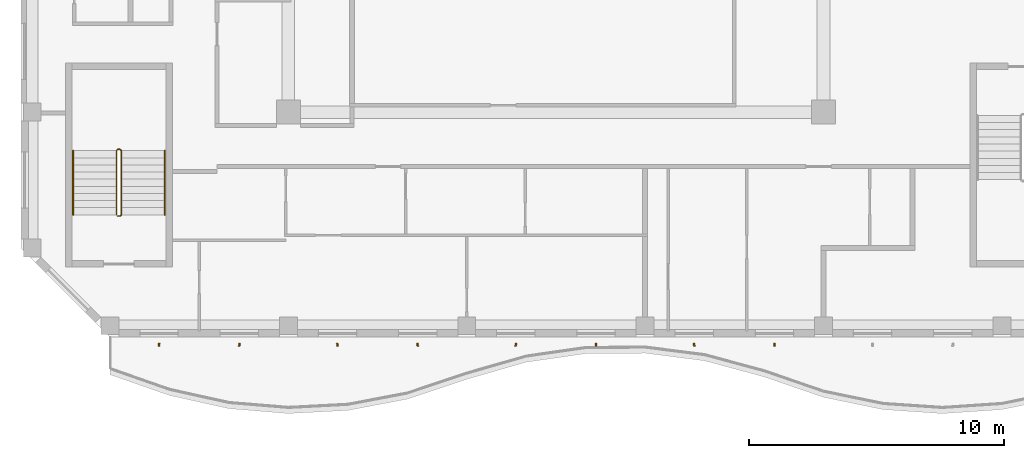
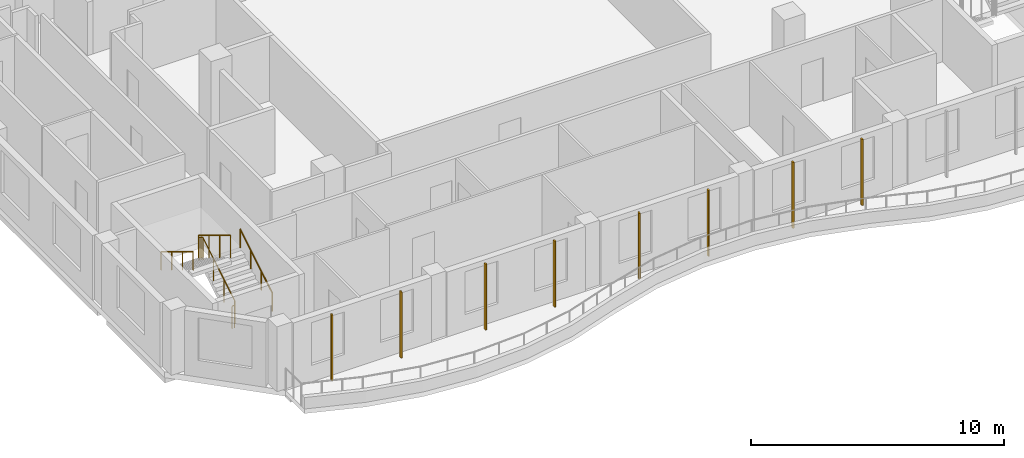
# One storey, part 13 of 19: 8 shading devices, 3 railings.
"""IFC4 building model written with IfcOpenShell, lengths in metres."""

from ifc_helpers import new_model, si_unit, direction, frame, origin, origin_2d, place, context, subcontext, project, spatial, rectangle, circle, extrude, source, transform, mapped, material, material_profile, profile_set, type_object, element, save


model = new_model("IFC4")

# Units and contexts
model_context = context("Model", 3, precision=1e-05, world=origin(), true_north=direction((0.0, 1.0)))
body_context = subcontext(model_context, "Body", "Model", "MODEL_VIEW")
ifc_project = project(units=[si_unit("LENGTHUNIT", "METRE"), si_unit("AREAUNIT", "SQUARE_METRE"), si_unit("VOLUMEUNIT", "CUBIC_METRE"), si_unit("PLANEANGLEUNIT", "RADIAN"), si_unit("MASSUNIT", "GRAM", prefix="KILO")], contexts=[model_context])

# Site, building, storey
site_placement = place(None, origin())
site = spatial("IfcSite", under=ifc_project, at=site_placement, CompositionType="ELEMENT")
building_placement = place(site_placement, origin())
building = spatial("IfcBuilding", under=site, at=building_placement, Name="Kilnfold Tower and Market Hall", CompositionType="ELEMENT")
storey_placement = place(building_placement, frame((0.0, 0.0, 245.800048828125)))
storey = spatial("IfcBuildingStorey", under=building, at=storey_placement, Name="L59", CompositionType="ELEMENT", Elevation=245.800048828125)

# Railings
ifc_material_1 = material(Name="Stainless steel 316", Category="steel")
railing_type_1 = type_object("IfcRailingType", Name="CORE STAIR GUARD 1100", PredefinedType="GUARDRAIL", material=ifc_material_1)
railing_1_placement = place(storey_placement, frame((-15.699951171875, -13.75, 0.0)))
element("IfcRailing", 1, at=railing_1_placement, inside=storey, type_object=railing_type_1, Name="L59 ST3 stair guard 1", PredefinedType="GUARDRAIL", context=body_context, shape_type="SweptSolid", body=[
    extrude(circle(Radius=0.02392578125, at=origin_2d()), frame((0.0, 0.0, 1.076171875), z_axis=(1.0, 0.0, 0.0), x_axis=(0.0, 1.0, 0.0)), (0.0, 0.0, 1.0), 0.099853515625),
    extrude(circle(Radius=0.02392578125, at=origin_2d()), frame((0.099853515625, 0.0, 1.076171875), z_axis=(0.271895245746, 0.271895245746, 0.923117517265), x_axis=(-0.707106781187, 0.707106781187, 0.0)), (0.0, 0.0, 1.0), 0.18408203125),
    extrude(circle(Radius=0.02392578125, at=origin_2d()), frame((0.14990234375, 0.050048828125, 1.24609375), z_axis=(0.0, 0.85478489116, 0.518982456201), x_axis=(-1.0, 0.0, 0.0)), (0.0, 0.0, 1.0), 2.9482421875),
    extrude(circle(Radius=0.02392578125, at=origin_2d()), frame((0.14990234375, 2.570068359375, 2.77587890625), z_axis=(-0.707106781187, 0.707106781187, 0.0), x_axis=(-0.707106781187, -0.707106781187, 0.0)), (0.0, 0.0, 1.0), 0.07080078125),
    extrude(circle(Radius=0.02392578125, at=origin_2d()), frame((0.099853515625, 2.6201171875, 2.77587890625), z_axis=(-1.0, 0.0, 0.0), x_axis=(0.0, -1.0, 0.0)), (0.0, 0.0, 1.0), 0.099853515625),
    extrude(circle(Radius=0.02392578125, at=origin_2d()), frame((0.0, 2.6201171875, 2.77587890625), z_axis=(-0.271895245746, -0.271895245746, 0.923117517265), x_axis=(0.707106781187, -0.707106781187, 0.0)), (0.0, 0.0, 1.0), 0.18408203125),
    extrude(circle(Radius=0.02392578125, at=origin_2d()), frame((-0.050048828125, 2.570068359375, 2.94580078125), z_axis=(0.0, -0.85478489116, 0.518982456201), x_axis=(1.0, 0.0, 0.0)), (0.0, 0.0, 1.0), 2.9482421875),
    extrude(circle(Radius=0.02099609375, at=origin_2d()), origin(), (0.0, 0.0, 1.0), 1.052001953125),
    extrude(circle(Radius=0.02099609375, at=origin_2d()), frame((0.099853515625, 0.0, 0.0)), (0.0, 0.0, 1.0), 1.052001953125),
    extrude(circle(Radius=0.02099609375, at=origin_2d()), frame((0.14990234375, 0.050048828125, 0.169921875)), (0.0, 0.0, 1.0), 1.052001953125),
    extrude(circle(Radius=0.02099609375, at=origin_2d()), frame((0.14990234375, 0.89013671875, 0.679931640625)), (0.0, 0.0, 1.0), 1.052001953125),
    extrude(circle(Radius=0.02099609375, at=origin_2d()), frame((0.14990234375, 1.72998046875, 1.18994140625)), (0.0, 0.0, 1.0), 1.052001953125),
    extrude(circle(Radius=0.02099609375, at=origin_2d()), frame((0.14990234375, 2.570068359375, 1.699951171875)), (0.0, 0.0, 1.0), 1.052001953125),
    extrude(circle(Radius=0.02099609375, at=origin_2d()), frame((0.099853515625, 2.6201171875, 1.699951171875)), (0.0, 0.0, 1.0), 1.052001953125),
    extrude(circle(Radius=0.02099609375, at=origin_2d()), frame((0.0, 2.6201171875, 1.699951171875)), (0.0, 0.0, 1.0), 1.052001953125),
    extrude(circle(Radius=0.02099609375, at=origin_2d()), frame((-0.050048828125, 2.570068359375, 1.869873046875)), (0.0, 0.0, 1.0), 1.052001953125),
    extrude(circle(Radius=0.02099609375, at=origin_2d()), frame((-0.050048828125, 1.72998046875, 2.3798828125)), (0.0, 0.0, 1.0), 1.052001953125),
    extrude(circle(Radius=0.02099609375, at=origin_2d()), frame((-0.050048828125, 0.89013671875, 2.889892578125)), (0.0, 0.0, 1.0), 1.052001953125),
    extrude(circle(Radius=0.02099609375, at=origin_2d()), frame((-0.050048828125, 0.050048828125, 3.39990234375)), (0.0, 0.0, 1.0), 1.052001953125),
])
ifc_material_2 = material(Name="Stainless steel 316", Category="steel")
railing_type_2 = type_object("IfcRailingType", Name="CORE STAIR HANDRAIL 900", PredefinedType="HANDRAIL", material=ifc_material_2)
railing_2_placement = place(storey_placement, frame((-13.85009765625, -13.699951171875, 0.169921875)))
element("IfcRailing", 2, at=railing_2_placement, inside=storey, type_object=railing_type_2, Name="L59 ST3 stair handrail 1", PredefinedType="HANDRAIL", context=body_context, shape_type="SweptSolid", body=[
    extrude(circle(Radius=0.02392578125, at=origin_2d()), frame((0.0, 0.0, 0.8759765625), z_axis=(0.0, 0.85478489116, 0.518982456201), x_axis=(-1.0, 0.0, 0.0)), (0.0, 0.0, 1.0), 2.9482421875),
    extrude(circle(Radius=0.02099609375, at=origin_2d()), origin(), (0.0, 0.0, 1.0), 0.851806640625),
    extrude(circle(Radius=0.02099609375, at=origin_2d()), frame((0.0, 0.840087890625, 0.510009765625)), (0.0, 0.0, 1.0), 0.851806640625),
    extrude(circle(Radius=0.02099609375, at=origin_2d()), frame((0.0, 1.679931640625, 1.02001953125)), (0.0, 0.0, 1.0), 0.851806640625),
    extrude(circle(Radius=0.02099609375, at=origin_2d()), frame((0.0, 2.52001953125, 1.530029296875)), (0.0, 0.0, 1.0), 0.851806640625),
])
railing_3_placement = place(storey_placement, frame((-17.449951171875, -11.179931640625, 1.869873046875)))
element("IfcRailing", 3, at=railing_3_placement, inside=storey, type_object=railing_type_2, Name="L59 ST3 stair handrail 2", PredefinedType="HANDRAIL", context=body_context, shape_type="SweptSolid", body=[
    extrude(circle(Radius=0.02392578125, at=origin_2d()), frame((0.0, 0.0, 0.8759765625), z_axis=(0.0, -0.85478489116, 0.518982456201), x_axis=(1.0, 0.0, 0.0)), (0.0, 0.0, 1.0), 2.9482421875),
    extrude(circle(Radius=0.02099609375, at=origin_2d()), origin(), (0.0, 0.0, 1.0), 0.851806640625),
    extrude(circle(Radius=0.02099609375, at=origin_2d()), frame((0.0, -0.840087890625, 0.510009765625)), (0.0, 0.0, 1.0), 0.851806640625),
    extrude(circle(Radius=0.02099609375, at=origin_2d()), frame((0.0, -1.679931640625, 1.02001953125)), (0.0, 0.0, 1.0), 0.851806640625),
    extrude(circle(Radius=0.02099609375, at=origin_2d()), frame((0.0, -2.52001953125, 1.530029296875)), (0.0, 0.0, 1.0), 0.851806640625),
])

# Shading devices
ifc_material_3 = material(Name="Terracotta", Category="masonry")
ifc_material_profile = material_profile(ifc_material_3, rectangle(XDim=0.06005859375, YDim=0.1201171875, at=origin_2d()), Name="BAG 60x120")
ifc_profile_set = profile_set([ifc_material_profile], Name="Terracotta")
shading_device_type = type_object("IfcShadingDeviceType", Name="BAGUETTE", PredefinedType="USERDEFINED", material=ifc_profile_set)
shared_shape = source(origin(), body_context, "Body", "SweptSolid", [
    extrude(rectangle(XDim=0.06005859375, YDim=0.1201171875, at=origin_2d()), origin(), (0.0, 0.0, 1.0), 3.179931640625),
])
for number, where, z_axis, x_axis, name in (
    (4, (-14.074951171875, -18.800048828125, 0.0), (0.0, 0.0, 1.0), (0.991564272242, -0.129615948144, 0.0), "Terracotta baguette L59 S"),
    (5, (-10.925048828125, -18.800048828125, 0.0), (0.0, 0.0, 1.0), (0.99750193347, -0.070639172722, 0.0), "Terracotta baguette L59 S"),
    (6, (-7.074951171875, -18.800048828125, 0.0), (0.0, 0.0, 1.0), (0.991564272242, 0.129615948144, 0.0), "Terracotta baguette L59 S"),
    (7, (-3.925048828125, -18.800048828125, 0.0), (0.0, 0.0, 1.0), (0.99750193347, 0.070639172722, 0.0), "Terracotta baguette L59 S"),
    (8, (-0.074951171875, -18.800048828125, 0.0), (0.0, 0.0, 1.0), (0.991564272242, -0.129615948144, 0.0), "Terracotta baguette L59 S"),
    (9, (3.074951171875, -18.800048828125, 0.0), (0.0, 0.0, 1.0), (0.99750193347, -0.070639172722, 0.0), "Terracotta baguette L59 S"),
    (10, (6.925048828125, -18.800048828125, 0.0), (0.0, 0.0, 1.0), (0.991564272242, 0.129615948144, 0.0), "Terracotta baguette L59 S"),
    (11, (10.074951171875, -18.800048828125, 0.0), (0.0, 0.0, 1.0), (0.99750193347, 0.070639172722, 0.0), "Terracotta baguette L59 S"),
):
    element("IfcShadingDevice", number, at=place(storey_placement, frame(where, z_axis=z_axis, x_axis=x_axis)), inside=storey, type_object=shading_device_type, Name=name, ObjectType="BAGUETTE", PredefinedType="USERDEFINED", context=body_context, shape_type="MappedRepresentation", body=[
        mapped(shared_shape, transform((0.0, 0.0, 0.0))),
    ])

save(model, "model.ifc")
